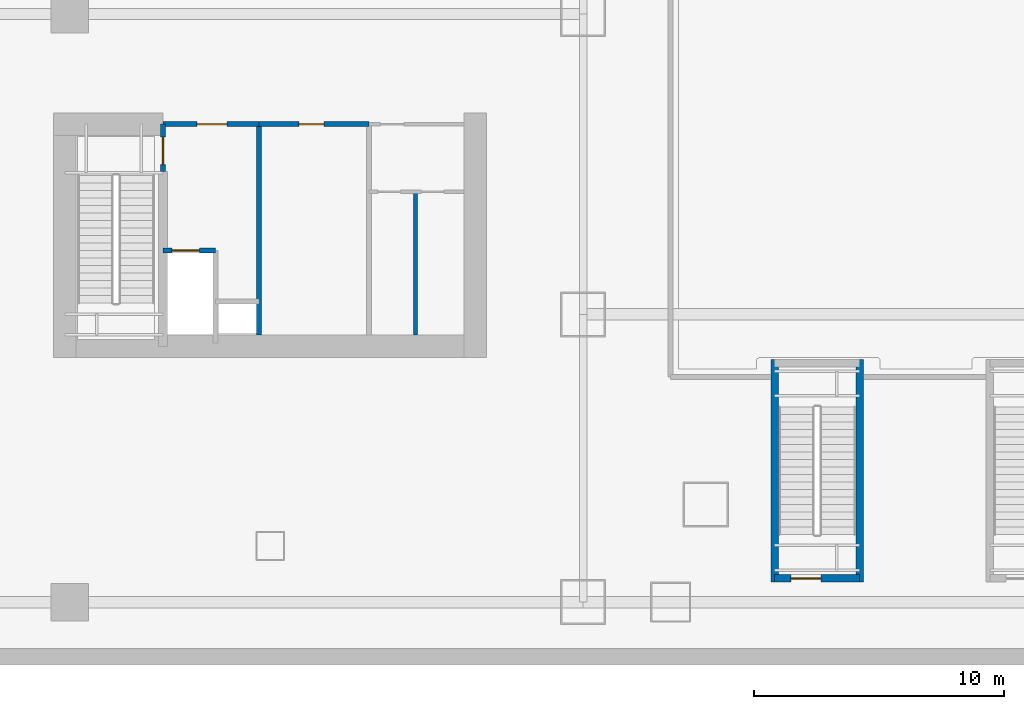
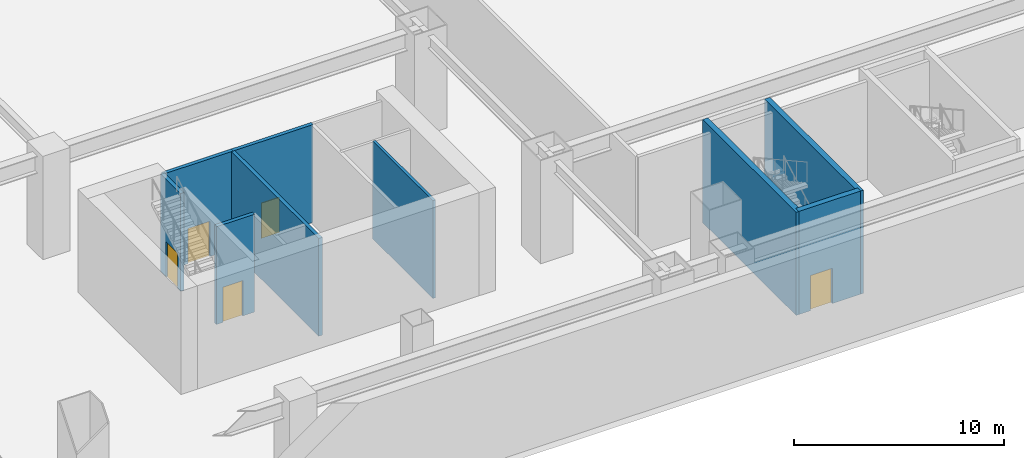
# One storey, part 5 of 20: 9 walls, 5 doors, 5 openings.
"""IFC4 building model written with IfcOpenShell, lengths in metres."""

import ifcopenshell
import ifcopenshell.guid

model = None  # the IFC model being written
_history = None  # IfcOwnerHistory: only IFC2X3 demands one
_inside = {}  # id of a spatial element -> (the spatial element, [elements in it])
_under = {}  # id of a project, library or spatial element -> (it, [spatial elements below it])
_declared = {}  # id of a project -> (the project, [libraries it declares])
_typed = {}  # id of a type object -> (the type object, [elements of that type])
_made_of = {}  # id of a material, layer set ... -> (it, [elements and type objects made of it])


def new_model(schema):
    """Start an empty IFC model of exactly this schema.

    Asked for "IFC4X3", IfcOpenShell would pick the latest addendum, in which some entities
    have other attributes; the version numbers below select the first issue.
    IFC2X3 requires an IfcOwnerHistory on every rooted entity: one is made here for all.
    """
    global model, _history
    if schema == "IFC4X3":
        model = ifcopenshell.file(schema_version=(4, 3, 0, 0))
    else:
        model = ifcopenshell.file(schema=schema)
    _inside.clear()
    _under.clear()
    _declared.clear()
    _typed.clear()
    _made_of.clear()
    _history = None
    if model.schema == "IFC2X3":
        org = make("IfcOrganization", Name="unknown")
        user = make(
            "IfcPersonAndOrganization",
            ThePerson=make("IfcPerson", FamilyName="unknown"),
            TheOrganization=org,
        )
        app = make(
            "IfcApplication",
            ApplicationDeveloper=org,
            Version="unknown",
            ApplicationFullName="unknown",
            ApplicationIdentifier="unknown",
        )
        _history = make(
            "IfcOwnerHistory",
            OwningUser=user,
            OwningApplication=app,
            ChangeAction="ADDED",
            CreationDate=0,
        )
    return model


def make(cls, **values):
    """One entity of the class cls with the attributes given. An attribute that is None is left unset."""
    return model.create_entity(
        cls, **{name: value for name, value in values.items() if value is not None}
    )


def rooted(cls, **values):
    """An entity with a GlobalId (a new one), such as an element, a storey or a relation."""
    return make(cls, GlobalId=ifcopenshell.guid.new(), OwnerHistory=_history, **values)


def si_unit(unit_type, name, prefix=None):
    """IfcSIUnit, for example si_unit("LENGTHUNIT", "METRE", prefix="MILLI")."""
    return make("IfcSIUnit", UnitType=unit_type, Prefix=prefix, Name=name)


def assignment(units):
    """IfcUnitAssignment: the units of a project."""
    return None if units is None else make("IfcUnitAssignment", Units=units)


def point(xyz):
    """IfcCartesianPoint."""
    return None if xyz is None else make("IfcCartesianPoint", Coordinates=xyz)


def direction(xyz):
    """IfcDirection."""
    return None if xyz is None else make("IfcDirection", DirectionRatios=xyz)


def frame(location, z_axis=None, x_axis=None):
    """IfcAxis2Placement3D, a coordinate frame: its origin and axes. An axis left out is left unset."""
    return make(
        "IfcAxis2Placement3D",
        Location=point(location),
        Axis=direction(z_axis),
        RefDirection=direction(x_axis),
    )


def frame_2d(location, x_axis=None):
    """IfcAxis2Placement2D, a coordinate frame in the plane: its origin and x axis."""
    return make(
        "IfcAxis2Placement2D", Location=point(location), RefDirection=direction(x_axis)
    )


def origin():
    """The frame at (0, 0, 0) with its axes left unset."""
    return frame((0.0, 0.0, 0.0))


def place(relative_to, where):
    """IfcLocalPlacement: puts the frame where relative to a parent placement (None: the world)."""
    return make(
        "IfcLocalPlacement", PlacementRelTo=relative_to, RelativePlacement=where
    )


def context(
    kind, dimensions, precision=None, world=None, true_north=None, identifier=None
):
    """IfcGeometricRepresentationContext, for example the 3D "Model" context."""
    return make(
        "IfcGeometricRepresentationContext",
        ContextIdentifier=identifier,
        ContextType=kind,
        CoordinateSpaceDimension=dimensions,
        Precision=precision,
        WorldCoordinateSystem=world,
        TrueNorth=true_north,
    )


def subcontext(parent, identifier, kind, view, scale=None):
    """IfcGeometricRepresentationSubContext, for example "Body" below "Model"."""
    return make(
        "IfcGeometricRepresentationSubContext",
        ContextIdentifier=identifier,
        ContextType=kind,
        ParentContext=parent,
        TargetScale=scale,
        TargetView=view,
    )


def project(units=None, contexts=None):
    """IfcProject with its units and contexts."""
    return rooted(
        "IfcProject",
        Name="project",
        RepresentationContexts=contexts,
        UnitsInContext=assignment(units),
    )


def spatial(cls, under=None, at=None, **own):
    """A site, building, storey or space (cls), placed at a placement, below another one or the project."""
    s = rooted(cls, ObjectPlacement=at, **own)
    if under is not None:
        _under.setdefault(under.id(), (under, []))[1].append(s)
    return s


def profile(cls, at=None, kind="AREA", **sizes):
    """A parametric profile (cls). Its sizes go by their IFC names, for example OverallWidth=200.0."""
    return make(cls, ProfileType=kind, Position=at, **sizes)


def rectangle(**sizes):
    """IfcRectangleProfileDef."""
    return profile("IfcRectangleProfileDef", **sizes)


def extrude(swept, where, along, depth):
    """IfcExtrudedAreaSolid: the profile swept, set in the frame where, extruded along a direction by depth."""
    return make(
        "IfcExtrudedAreaSolid",
        SweptArea=swept,
        Position=where,
        ExtrudedDirection=direction(along),
        Depth=depth,
    )


def shape(context_of_items, identifier, shape_type, items):
    """IfcShapeRepresentation: the items that make up one representation, for example the "Body"."""
    return make(
        "IfcShapeRepresentation",
        ContextOfItems=context_of_items,
        RepresentationIdentifier=identifier,
        RepresentationType=shape_type,
        Items=items,
    )


def material(Name=None, Category=None):
    """IfcMaterial."""
    return make("IfcMaterial", Name=Name, Category=Category)


def layer(
    of_material, thickness, ventilated=None, Name=None, Category=None, Priority=None
):
    """IfcMaterialLayer: one layer of a wall or slab, of a material (None: an air gap)."""
    return make(
        "IfcMaterialLayer",
        Material=of_material,
        LayerThickness=thickness,
        IsVentilated=ventilated,
        Name=Name,
        Category=Category,
        Priority=Priority,
    )


def layer_set(layers, Name=None):
    """IfcMaterialLayerSet."""
    return make("IfcMaterialLayerSet", MaterialLayers=layers, LayerSetName=Name)


def made_of(thing, what):
    """Note that an element or type object is made of a material, layer set ...; save() writes the relation."""
    if what is not None:
        _made_of.setdefault(what.id(), (what, []))[1].append(thing)
    return thing


def type_object(cls, material=None, **own):
    """A type object (cls), such as IfcWallType, which elements share."""
    return made_of(rooted(cls, **own), material)


def element(
    cls,
    number,
    at=None,
    inside=None,
    cuts=None,
    type_object=None,
    material=None,
    context=None,
    identifier="Body",
    shape_type=None,
    held_by="IfcProductDefinitionShape",
    body=None,
    shapes=None,
    **own,
):
    """One element of the class cls, such as IfcWall. Its Tag is "e" and its number.

    at: its placement. inside: the storey or other place that contains it. cuts: it is an
    opening in that element (IfcRelVoidsElement). A single representation is given by context,
    identifier, shape_type and body (its items); several are given by shapes. held_by: the class
    of the entity that holds the representations. save() writes the other relations.
    """
    e = rooted(cls, Tag="e%d" % number, ObjectPlacement=at, **own)
    if body is not None:
        shapes = [shape(context, identifier, shape_type, body)]
    if shapes is not None:
        e.Representation = make(held_by, Representations=shapes)
    if inside is not None:
        _inside.setdefault(inside.id(), (inside, []))[1].append(e)
    if cuts is not None:
        rooted(
            "IfcRelVoidsElement", RelatingBuildingElement=cuts, RelatedOpeningElement=e
        )
    if type_object is not None:
        _typed.setdefault(type_object.id(), (type_object, []))[1].append(e)
    return made_of(e, material)


def fill(opening, filler):
    """IfcRelFillsElement: the door or window that sits in an opening."""
    return rooted(
        "IfcRelFillsElement",
        RelatingOpeningElement=opening,
        RelatedBuildingElement=filler,
    )


def aggregate(whole, parts):
    """IfcRelAggregates: a whole, such as a stair, and the parts it consists of."""
    return rooted("IfcRelAggregates", RelatingObject=whole, RelatedObjects=parts)


def save(model, path):
    """Write the relations noted so far, then the file.

    IfcRelAggregates (storeys below a building ...), IfcRelContainedInSpatialStructure (elements
    in a storey), IfcRelDefinesByType, IfcRelAssociatesMaterial and IfcRelDeclares: one each for
    every whole, place, type object, material and project.
    """
    for whole, parts in _under.values():
        aggregate(whole, parts)
    for where, things in _inside.values():
        rooted(
            "IfcRelContainedInSpatialStructure",
            RelatedElements=things,
            RelatingStructure=where,
        )
    for kind, things in _typed.values():
        rooted("IfcRelDefinesByType", RelatedObjects=things, RelatingType=kind)
    for what, things in _made_of.values():
        rooted("IfcRelAssociatesMaterial", RelatedObjects=things, RelatingMaterial=what)
    for by, libraries in _declared.values():
        rooted("IfcRelDeclares", RelatingContext=by, RelatedDefinitions=libraries)
    model.write(path)


model = new_model("IFC4")

# Units and contexts
model_context = context("Model", 3, precision=1e-05, world=origin(), true_north=direction((0.0, 1.0)))
body_context = subcontext(model_context, "Body", "Model", "MODEL_VIEW")
ifc_project = project(units=[si_unit("LENGTHUNIT", "METRE"), si_unit("AREAUNIT", "SQUARE_METRE"), si_unit("VOLUMEUNIT", "CUBIC_METRE"), si_unit("PLANEANGLEUNIT", "RADIAN"), si_unit("MASSUNIT", "GRAM", prefix="KILO")], contexts=[model_context])

# Site, building, storey
site_placement = place(None, origin())
site = spatial("IfcSite", under=ifc_project, at=site_placement, CompositionType="ELEMENT")
building_placement = place(site_placement, origin())
building = spatial("IfcBuilding", under=site, at=building_placement, Name="Qiaolan Cultural Towers", CompositionType="ELEMENT")
storey_placement = place(building_placement, frame((0.0, 0.0, -6.0)))
storey = spatial("IfcBuildingStorey", under=building, at=storey_placement, Name="B1", CompositionType="ELEMENT", Elevation=-6.0)

# Walls
ifc_material_1 = material(Name="Concrete C50", Category="concrete")
ifc_layer_1 = layer(ifc_material_1, 0.35009765625)
ifc_layer_set_1 = layer_set([ifc_layer_1], Name="Concrete C50")
wall_type_1 = type_object("IfcWallType", Name="WL-CORE-350", PredefinedType="SHEAR", material=ifc_layer_set_1)
for number, where, z_axis, x_axis, name in (
    (1, (50.14990234375, 3.300048828125, 0.0), (0.0, 0.0, 1.0), (0.0, 1.0, 0.0), "B1 STM1 Stair Shaft Wall W"),
    (2, (53.550048828125, 3.300048828125, 0.0), (0.0, 0.0, 1.0), (0.0, 1.0, 0.0), "B1 STM1 Stair Shaft Wall E"),
):
    element("IfcWall", number, at=place(storey_placement, frame(where, z_axis=z_axis, x_axis=x_axis)), inside=storey, type_object=wall_type_1, Name=name, PredefinedType="SHEAR", context=body_context, shape_type="SweptSolid", body=[
        extrude(rectangle(XDim=8.89990234375, YDim=0.300048828125, at=frame_2d((4.449951171875, 0.0))), origin(), (0.0, 0.0, 1.0), 6.0),
    ])

# Wall, opening, door
wall_1_placement = place(storey_placement, frame((50.14990234375, 3.449951171875, 0.0), z_axis=(0.0, 0.0, 1.0), x_axis=(1.0, 0.0, 0.0)))
wall_1 = element("IfcWall", 3, at=wall_1_placement, inside=storey, type_object=wall_type_1, Name="B1 STM1 Stair Shaft Wall S", PredefinedType="SHEAR", context=body_context, shape_type="SweptSolid", body=[
    extrude(rectangle(XDim=3.400146484375, YDim=0.300048828125, at=frame_2d((1.7001953125, 0.0))), origin(), (0.0, 0.0, 1.0), 6.0),
])
opening_1_placement = place(wall_1_placement, frame((0.64990234375, 0.0, 0.0)))
opening_1 = element("IfcOpeningElement", 4, at=opening_1_placement, cuts=wall_1, Name="Opening FD-03", PredefinedType="OPENING", context=body_context, shape_type="SweptSolid", body=[
    extrude(rectangle(XDim=1.199951171875, YDim=2.050048828125, at=frame_2d((0.60009765625, 1.02490234375))), frame((0.0, 0.159912109375, 0.0), z_axis=(0.0, -1.0, 0.0), x_axis=(1.0, 0.0, 0.0)), (0.0, 0.0, 1.0), 0.320068359375),
])
ifc_material_2 = material(Name="Galvanized Steel Smokeproof Lobby Fire Door", Category="steel")
door_type_1 = type_object("IfcDoorType", Name="DR-FD90-1200", OperationType="NOTDEFINED", PredefinedType="DOOR", material=ifc_material_2)
door_1_placement = place(opening_1_placement, origin())
door_1 = element("IfcDoor", 5, at=door_1_placement, inside=storey, type_object=door_type_1, Name="B1 Exit Stair ST-M1 Fire Door", OperationType="SINGLE_SWING_LEFT", OverallHeight=2.050048828125, OverallWidth=1.199951171875, PredefinedType="DOOR", context=body_context, shape_type="SweptSolid", body=[
    extrude(rectangle(XDim=1.199951171875, YDim=2.050048828125, at=frame_2d((0.60009765625, 1.02490234375))), frame((0.0, 0.02490234375, 0.0), z_axis=(0.0, -1.0, 0.0), x_axis=(1.0, 0.0, 0.0)), (0.0, 0.0, 1.0), 0.050048828125),
])
fill(opening_1, door_1)

ifc_material_3 = material(Name="Concrete C35 Fire Wall", Category="concrete")
ifc_layer_2 = layer(ifc_material_3, 0.199951171875)
ifc_layer_set_2 = layer_set([ifc_layer_2], Name="Concrete C35 Fire Wall")
wall_type_2 = type_object("IfcWallType", Name="WL-FIRE-200", PredefinedType="PARTITIONING", material=ifc_layer_set_2)
wall_2_placement = place(storey_placement, frame((25.719970703125, 21.60009765625, 0.0), z_axis=(0.0, 0.0, 1.0), x_axis=(0.0, -1.0, 0.0)))
wall_2 = element("IfcWall", 6, at=wall_2_placement, inside=storey, type_object=wall_type_2, Name="B1 T1-CS Smokeproof Stair Entry Wall", PredefinedType="PARTITIONING", context=body_context, shape_type="SweptSolid", body=[
    extrude(rectangle(XDim=1.900146484375, YDim=0.199951171875, at=frame_2d((0.9501953125, 0.0))), origin(), (0.0, 0.0, 1.0), 5.68505859375),
])
opening_2_placement = place(wall_2_placement, frame((0.52001953125, 0.0, 0.0)))
opening_2 = element("IfcOpeningElement", 7, at=opening_2_placement, cuts=wall_2, Name="Opening FD-04", PredefinedType="OPENING", context=body_context, shape_type="SweptSolid", body=[
    extrude(rectangle(XDim=1.10009765625, YDim=2.050048828125, at=frame_2d((0.550048828125, 1.02490234375))), frame((0.0, 0.10986328125, 0.0), z_axis=(0.0, -1.0, 0.0), x_axis=(1.0, 0.0, 0.0)), (0.0, 0.0, 1.0), 0.219970703125),
])
ifc_material_4 = material(Name="Galvanized Steel Command Fire Door", Category="steel")
door_type_2 = type_object("IfcDoorType", Name="DR-FD90-1100", OperationType="NOTDEFINED", PredefinedType="DOOR", material=ifc_material_4)
door_2_placement = place(opening_2_placement, origin())
door_2 = element("IfcDoor", 8, at=door_2_placement, inside=storey, type_object=door_type_2, Name="B1 ST-W1 Smokeproof Stair Fire Door", OperationType="SINGLE_SWING_LEFT", OverallHeight=2.050048828125, OverallWidth=1.10009765625, PredefinedType="DOOR", context=body_context, shape_type="SweptSolid", body=[
    extrude(rectangle(XDim=1.10009765625, YDim=2.050048828125, at=frame_2d((0.550048828125, 1.02490234375))), frame((0.0, 0.02490234375, 0.0), z_axis=(0.0, -1.0, 0.0), x_axis=(1.0, 0.0, 0.0)), (0.0, 0.0, 1.0), 0.050048828125),
])
fill(opening_2, door_2)

# Wall
wall_3_placement = place(storey_placement, frame((29.550048828125, 21.60009765625, 0.0), z_axis=(0.0, 0.0, 1.0), x_axis=(0.0, -1.0, 0.0)))
element("IfcWall", 9, at=wall_3_placement, inside=storey, type_object=wall_type_2, Name="B1 T1-CS Firefighting Zone Wall", PredefinedType="PARTITIONING", context=body_context, shape_type="SweptSolid", body=[
    extrude(rectangle(XDim=8.43017578125, YDim=0.199951171875, at=frame_2d((4.215087890625, 0.0))), origin(), (0.0, 0.0, 1.0), 5.68505859375),
])

# Wall, opening, door
wall_4_placement = place(storey_placement, frame((25.719970703125, 21.60009765625, 0.0), z_axis=(0.0, 0.0, 1.0), x_axis=(1.0, 0.0, 0.0)))
wall_4 = element("IfcWall", 10, at=wall_4_placement, inside=storey, type_object=wall_type_2, Name="B1 T1-CS Firefighting Lobby Front Wall", PredefinedType="PARTITIONING", context=body_context, shape_type="SweptSolid", body=[
    extrude(rectangle(XDim=3.830078125, YDim=0.199951171875, at=frame_2d((1.9150390625, 0.0))), origin(), (0.0, 0.0, 1.0), 5.68505859375),
])
opening_3_placement = place(wall_4_placement, frame((1.35009765625, 0.0, 0.0)))
opening_3 = element("IfcOpeningElement", 11, at=opening_3_placement, cuts=wall_4, Name="Opening FD-03", PredefinedType="OPENING", context=body_context, shape_type="SweptSolid", body=[
    extrude(rectangle(XDim=1.199951171875, YDim=2.050048828125, at=frame_2d((0.60009765625, 1.02490234375))), frame((0.0, 0.10986328125, 0.0), z_axis=(0.0, -1.0, 0.0), x_axis=(1.0, 0.0, 0.0)), (0.0, 0.0, 1.0), 0.219970703125),
])
door_3_placement = place(opening_3_placement, origin())
door_3 = element("IfcDoor", 12, at=door_3_placement, inside=storey, type_object=door_type_1, Name="B1 FFL-W1 Firefighting Lobby Fire Door", OperationType="SINGLE_SWING_LEFT", OverallHeight=2.050048828125, OverallWidth=1.199951171875, PredefinedType="DOOR", context=body_context, shape_type="SweptSolid", body=[
    extrude(rectangle(XDim=1.199951171875, YDim=2.050048828125, at=frame_2d((0.60009765625, 1.02490234375))), frame((0.0, 0.02490234375, 0.0), z_axis=(0.0, -1.0, 0.0), x_axis=(1.0, 0.0, 0.0)), (0.0, 0.0, 1.0), 0.050048828125),
])
fill(opening_3, door_3)

wall_5_placement = place(storey_placement, frame((25.719970703125, 16.550048828125, 0.0), z_axis=(0.0, 0.0, 1.0), x_axis=(1.0, 0.0, 0.0)))
wall_5 = element("IfcWall", 13, at=wall_5_placement, inside=storey, type_object=wall_type_2, Name="B1 T1-CS Firefighting Shaft Front Wall", PredefinedType="PARTITIONING", context=body_context, shape_type="SweptSolid", body=[
    extrude(rectangle(XDim=2.10009765625, YDim=0.199951171875, at=frame_2d((1.050048828125, 0.0))), origin(), (0.0, 0.0, 1.0), 5.68505859375),
])
opening_4_placement = place(wall_5_placement, frame((0.35009765625, 0.0, 0.0)))
opening_4 = element("IfcOpeningElement", 14, at=opening_4_placement, cuts=wall_5, Name="Opening LD-01", PredefinedType="OPENING", context=body_context, shape_type="SweptSolid", body=[
    extrude(rectangle(XDim=1.10009765625, YDim=2.050048828125, at=frame_2d((0.550048828125, 1.02490234375))), frame((0.0, 0.10986328125, 0.0), z_axis=(0.0, -1.0, 0.0), x_axis=(1.0, 0.0, 0.0)), (0.0, 0.0, 1.0), 0.219970703125),
])
ifc_material_5 = material(Name="Brushed Stainless Steel S30408 Centre-Parting Lift Landing Door", Category="steel")
door_type_3 = type_object("IfcDoorType", Name="DR-LIFT-1100", OperationType="NOTDEFINED", PredefinedType="DOOR", material=ifc_material_5)
door_4_placement = place(opening_4_placement, origin())
door_4 = element("IfcDoor", 15, at=door_4_placement, inside=storey, type_object=door_type_3, Name="B1 FFL-W1 Firefighting Lift Landing Door", OperationType="DOUBLE_DOOR_SLIDING", OverallHeight=2.050048828125, OverallWidth=1.10009765625, PredefinedType="DOOR", context=body_context, shape_type="SweptSolid", body=[
    extrude(rectangle(XDim=1.10009765625, YDim=2.050048828125, at=frame_2d((0.550048828125, 1.02490234375))), frame((0.0, 0.02490234375, 0.0), z_axis=(0.0, -1.0, 0.0), x_axis=(1.0, 0.0, 0.0)), (0.0, 0.0, 1.0), 0.050048828125),
])
fill(opening_4, door_4)

wall_6_placement = place(storey_placement, frame((29.550048828125, 21.60009765625, 0.0), z_axis=(0.0, 0.0, 1.0), x_axis=(1.0, 0.0, 0.0)))
wall_6 = element("IfcWall", 16, at=wall_6_placement, inside=storey, type_object=wall_type_2, Name="B1 T1-CS Basement Core Store Front Wall", PredefinedType="PARTITIONING", context=body_context, shape_type="SweptSolid", body=[
    extrude(rectangle(XDim=4.39990234375, YDim=0.199951171875, at=frame_2d((2.199951171875, 0.0))), origin(), (0.0, 0.0, 1.0), 5.68505859375),
])
opening_5_placement = place(wall_6_placement, frame((1.60009765625, 0.0, 0.0)))
opening_5 = element("IfcOpeningElement", 17, at=opening_5_placement, cuts=wall_6, Name="Opening FD-07", PredefinedType="OPENING", context=body_context, shape_type="SweptSolid", body=[
    extrude(rectangle(XDim=1.0, YDim=2.050048828125, at=frame_2d((0.5, 1.02490234375))), frame((0.0, 0.10986328125, 0.0), z_axis=(0.0, -1.0, 0.0), x_axis=(1.0, 0.0, 0.0)), (0.0, 0.0, 1.0), 0.219970703125),
])
ifc_material_6 = material(Name="Painted Steel Riser Fire Door", Category="steel")
door_type_4 = type_object("IfcDoorType", Name="DR-FD60-1000", OperationType="NOTDEFINED", PredefinedType="DOOR", material=ifc_material_6)
door_5_placement = place(opening_5_placement, origin())
door_5 = element("IfcDoor", 18, at=door_5_placement, inside=storey, type_object=door_type_4, Name="B1 Core Maintenance Store Door", OperationType="SINGLE_SWING_LEFT", OverallHeight=2.050048828125, OverallWidth=1.0, PredefinedType="DOOR", context=body_context, shape_type="SweptSolid", body=[
    extrude(rectangle(XDim=1.0, YDim=2.050048828125, at=frame_2d((0.5, 1.02490234375))), frame((0.0, 0.02490234375, 0.0), z_axis=(0.0, -1.0, 0.0), x_axis=(1.0, 0.0, 0.0)), (0.0, 0.0, 1.0), 0.050048828125),
])
fill(opening_5, door_5)

# Wall
ifc_material_7 = material(Name="Autoclaved Aerated Concrete Block B06", Category="concrete")
ifc_layer_3 = layer(ifc_material_7, 0.14990234375)
ifc_layer_set_3 = layer_set([ifc_layer_3], Name="Autoclaved Aerated Concrete Block B06")
wall_type_3 = type_object("IfcWallType", Name="WL-PART-150", PredefinedType="PARTITIONING", material=ifc_layer_set_3)
wall_7_placement = place(storey_placement, frame((35.800048828125, 18.89990234375, 0.0), z_axis=(0.0, 0.0, 1.0), x_axis=(0.0, -1.0, 0.0)))
element("IfcWall", 19, at=wall_7_placement, inside=storey, type_object=wall_type_3, Name="B1 T1-CS Restroom Divider Wall", PredefinedType="PARTITIONING", context=body_context, shape_type="SweptSolid", body=[
    extrude(rectangle(XDim=5.72998046875, YDim=0.14990234375, at=frame_2d((2.864990234375, 0.0))), origin(), (0.0, 0.0, 1.0), 5.68505859375),
])

save(model, "model.ifc")
